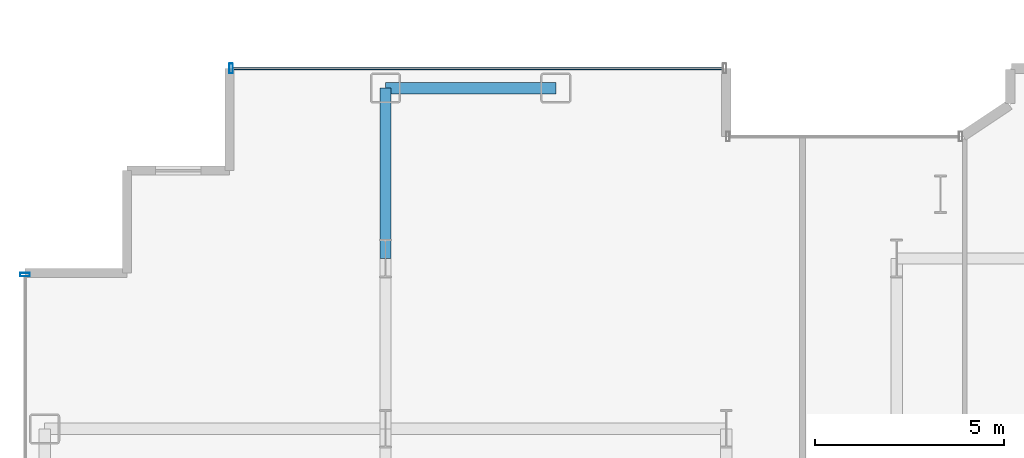
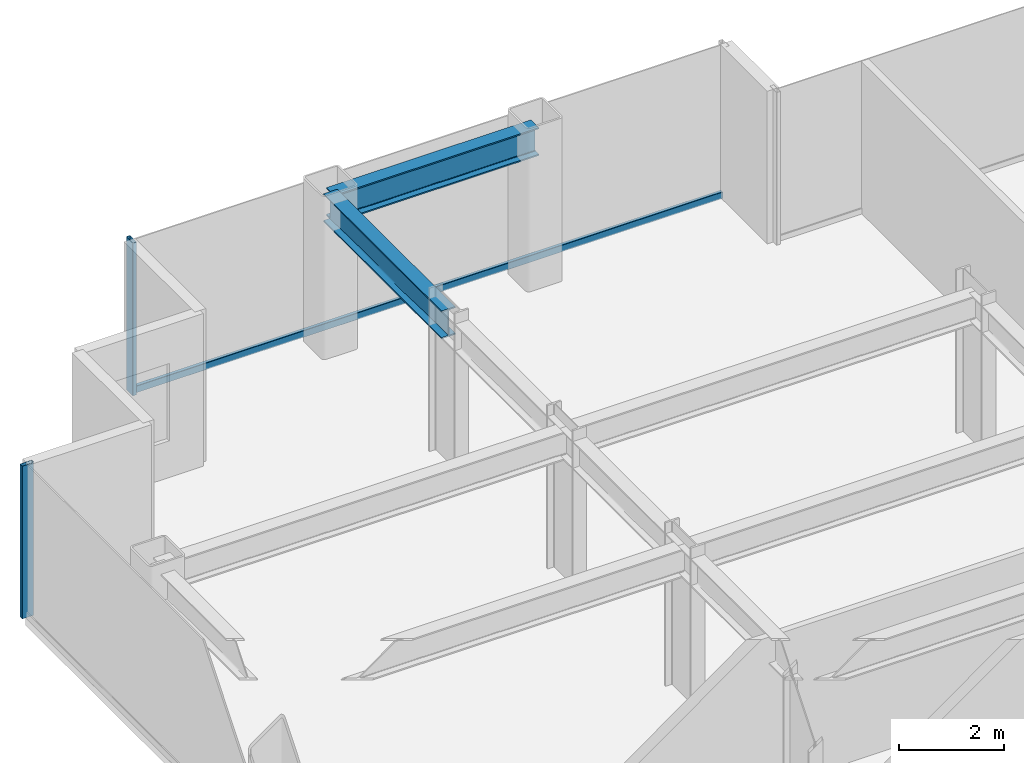
# One storey, part 9 of 26: 3 members, 2 beams, 2 elements without a shape of their own.
"""IFC4 building model written with IfcOpenShell, lengths in metres."""

from ifc_helpers import new_model, si_unit, direction, frame, origin, origin_2d, place, context, subcontext, project, spatial, hollow_rectangle, i_section, extrude, source, transform, mapped, material, layer, layer_set, material_profile, profile_set, type_object, element, aggregate, save


model = new_model("IFC4")

# Units and contexts
model_context = context("Model", 3, precision=1e-05, world=origin(), true_north=direction((0.0, 1.0)))
body_context = subcontext(model_context, "Body", "Model", "MODEL_VIEW")
ifc_project = project(units=[si_unit("LENGTHUNIT", "METRE"), si_unit("AREAUNIT", "SQUARE_METRE"), si_unit("VOLUMEUNIT", "CUBIC_METRE"), si_unit("PLANEANGLEUNIT", "RADIAN"), si_unit("MASSUNIT", "GRAM", prefix="KILO")], contexts=[model_context])

# Site, building, storey
site_placement = place(None, origin())
site = spatial("IfcSite", under=ifc_project, at=site_placement, CompositionType="ELEMENT")
building_placement = place(site_placement, origin())
building = spatial("IfcBuilding", under=site, at=building_placement, Name="Nefas-Gora Pilgrimage Tower", CompositionType="ELEMENT")
storey_placement = place(building_placement, frame((0.0, 0.0, 128.800048828125)))
storey = spatial("IfcBuildingStorey", under=building, at=storey_placement, Name="L31", CompositionType="ELEMENT", Elevation=128.800048828125)

# Beams
ifc_material_1 = material(Name="Steel S355", Category="steel")
ifc_material_profile_1 = material_profile(ifc_material_1, i_section(OverallWidth=0.300048828125, OverallDepth=0.64990234375, WebThickness=0.01611328125, FlangeThickness=0.031005859375, FilletRadius=0.027099609375, at=origin_2d()), Name="HEB 650")
ifc_profile_set_1 = profile_set([ifc_material_profile_1], Name="Steel S355")
beam_type_1 = type_object("IfcBeamType", Name="BM-SPN-HEB500", PredefinedType="SPANDREL", material=ifc_profile_set_1)
shared_shape_1 = source(origin(), body_context, "Body", "SweptSolid", [
    extrude(i_section(OverallWidth=0.300048828125, OverallDepth=0.64990234375, WebThickness=0.01611328125, FlangeThickness=0.031005859375, FilletRadius=0.027099609375, at=origin_2d()), origin(), (0.0, 0.0, 1.0), 4.5),
])
beam_1_placement = place(storey_placement, frame((-24.75, 22.5, 3.224853515625), z_axis=(1.0, 0.0, 0.0), x_axis=(0.0, 1.0, 0.0)))
element("IfcBeam", 1, at=beam_1_placement, inside=storey, type_object=beam_type_1, Name="L31 SP-02 beam", PredefinedType="SPANDREL", context=body_context, shape_type="MappedRepresentation", body=[
    mapped(shared_shape_1, transform((0.0, 0.0, 0.0), x_axis=(1.0, 0.0, 0.0), y_axis=(0.0, 1.0, 0.0), z_axis=(0.0, 0.0, 1.0), scale=1.0)),
])
ifc_material_profile_2 = material_profile(ifc_material_1, i_section(OverallWidth=0.300048828125, OverallDepth=0.64990234375, WebThickness=0.01611328125, FlangeThickness=0.031005859375, FilletRadius=0.027099609375, at=origin_2d()), Name="HEB 650")
ifc_profile_set_2 = profile_set([ifc_material_profile_2], Name="Steel S355")
beam_type_2 = type_object("IfcBeamType", Name="BM-GIR-HEB650", PredefinedType="BEAM", material=ifc_profile_set_2)
shared_shape_2 = source(origin(), body_context, "Body", "SweptSolid", [
    extrude(i_section(OverallWidth=0.300048828125, OverallDepth=0.64990234375, WebThickness=0.01611328125, FlangeThickness=0.031005859375, FilletRadius=0.027099609375, at=origin_2d()), origin(), (0.0, 0.0, 1.0), 4.5),
])
beam_2_placement = place(storey_placement, frame((-24.75, 18.0, 3.224853515625), z_axis=(0.0, 1.0, 0.0), x_axis=(-1.0, 0.0, 0.0)))
element("IfcBeam", 2, at=beam_2_placement, inside=storey, type_object=beam_type_2, Name="L31 G-03 beam", PredefinedType="BEAM", context=body_context, shape_type="MappedRepresentation", body=[
    mapped(shared_shape_2, transform((0.0, 0.0, 0.0), x_axis=(1.0, 0.0, 0.0), y_axis=(0.0, 1.0, 0.0), z_axis=(0.0, 0.0, 1.0), scale=1.0)),
])

# Curtain wall, member
ifc_material_2 = material(Name="Dark ceramic-fritted solar-control aluminium-glass curtain wall", Category="aluminium")
ifc_layer = layer(ifc_material_2, 0.219970703125)
ifc_layer_set = layer_set([ifc_layer], Name="Dark ceramic-fritted solar-control aluminium-glass curtain wall")
curtain_wall_type = type_object("IfcCurtainWallType", Name="CW-SYS-2", PredefinedType="NOTDEFINED", material=ifc_layer_set)
curtain_wall_1_placement = place(storey_placement, origin())
curtain_wall_1 = element("IfcCurtainWall", 3, at=curtain_wall_1_placement, inside=storey, type_object=curtain_wall_type, Name="L31 Unitised Curtain Wall CW2", PredefinedType="NOTDEFINED")
ifc_material_3 = material(Name="Anodised architectural aluminium", Category="aluminium")
ifc_material_profile_3 = material_profile(ifc_material_3, hollow_rectangle(XDim=0.090087890625, YDim=0.260009765625, WallThickness=0.006103515625, InnerFilletRadius=0.006103515625, OuterFilletRadius=0.011962890625, at=origin_2d()), Name="ALU MULLION 90x260")
ifc_profile_set_3 = profile_set([ifc_material_profile_3], Name="Anodised architectural aluminium")
member_type_1 = type_object("IfcMemberType", Name="CWM-MUL-2", PredefinedType="MULLION", material=ifc_profile_set_3)
shared_shape_3 = source(origin(), body_context, "Body", "SweptSolid", [
    extrude(hollow_rectangle(XDim=0.090087890625, YDim=0.260009765625, WallThickness=0.006103515625, InnerFilletRadius=0.006103515625, OuterFilletRadius=0.011962890625, at=origin_2d()), origin(), (0.0, 0.0, 1.0), 3.550048828125),
])
member_1_placement = place(storey_placement, frame((-28.824951171875, 23.02001953125, 0.0), z_axis=(0.0, 0.0, 1.0), x_axis=(-1.0, 0.0, 0.0)))
member_1 = element("IfcMember", 4, at=member_1_placement, type_object=member_type_1, Name="CW2 Mullion 2", PredefinedType="MULLION", context=body_context, shape_type="MappedRepresentation", body=[
    mapped(shared_shape_3, transform((0.0, 0.0, 0.0), x_axis=(1.0, 0.0, 0.0), y_axis=(0.0, 1.0, 0.0), z_axis=(0.0, 0.0, 1.0), scale=1.0)),
])

curtain_wall_2_placement = place(storey_placement, origin())
curtain_wall_2 = element("IfcCurtainWall", 5, at=curtain_wall_2_placement, inside=storey, type_object=curtain_wall_type, Name="L31 Unitised Curtain Wall CW2", PredefinedType="NOTDEFINED")
member_2_placement = place(storey_placement, frame((-34.27001953125, 17.574951171875, 0.0), z_axis=(0.0, 0.0, 1.0), x_axis=(0.0, -1.0, 0.0)))
member_2 = element("IfcMember", 6, at=member_2_placement, type_object=member_type_1, Name="CW2 Mullion 1", PredefinedType="MULLION", context=body_context, shape_type="MappedRepresentation", body=[
    mapped(shared_shape_3, transform((0.0, 0.0, 0.0), x_axis=(1.0, 0.0, 0.0), y_axis=(0.0, 1.0, 0.0), z_axis=(0.0, 0.0, 1.0), scale=1.0)),
])
aggregate(curtain_wall_2, [member_2])

# Member
ifc_material_profile_4 = material_profile(ifc_material_3, hollow_rectangle(XDim=0.080078125, YDim=0.159912109375, WallThickness=0.00439453125, InnerFilletRadius=0.00439453125, OuterFilletRadius=0.009033203125, at=origin_2d()), Name="ALU TRANSOM 80x160")
ifc_profile_set_4 = profile_set([ifc_material_profile_4], Name="Anodised architectural aluminium")
member_type_2 = type_object("IfcMemberType", Name="CWM-TRN-2", PredefinedType="USERDEFINED", material=ifc_profile_set_4)
shared_shape_4 = source(origin(), body_context, "Body", "SweptSolid", [
    extrude(hollow_rectangle(XDim=0.080078125, YDim=0.159912109375, WallThickness=0.00439453125, InnerFilletRadius=0.00439453125, OuterFilletRadius=0.009033203125, at=origin_2d()), origin(), (0.0, 0.0, 1.0), 12.93994140625),
])
member_3_placement = place(storey_placement, frame((-15.840087890625, 23.02001953125, 0.050048828125), z_axis=(-1.0, 0.0, 0.0), x_axis=(0.0, -1.0, 0.0)))
member_3 = element("IfcMember", 7, at=member_3_placement, type_object=member_type_2, Name="CW2 Spandrel Transom", ObjectType="TRANSOM", PredefinedType="USERDEFINED", context=body_context, shape_type="MappedRepresentation", body=[
    mapped(shared_shape_4, transform((0.0, 0.0, 0.0), x_axis=(1.0, 0.0, 0.0), y_axis=(0.0, 1.0, 0.0), z_axis=(0.0, 0.0, 1.0), scale=1.0)),
])

aggregate(curtain_wall_1, [member_1, member_3])

save(model, "model.ifc")
